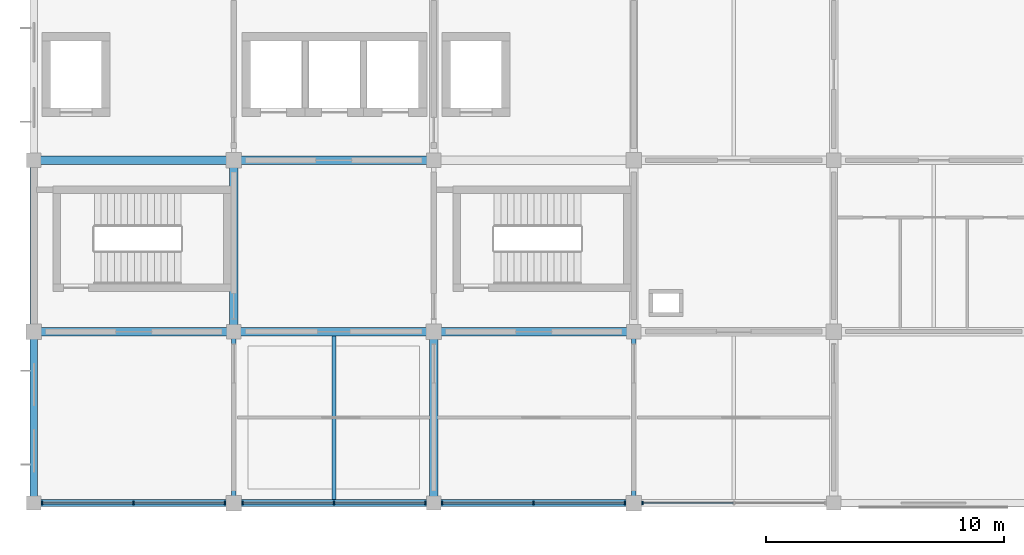
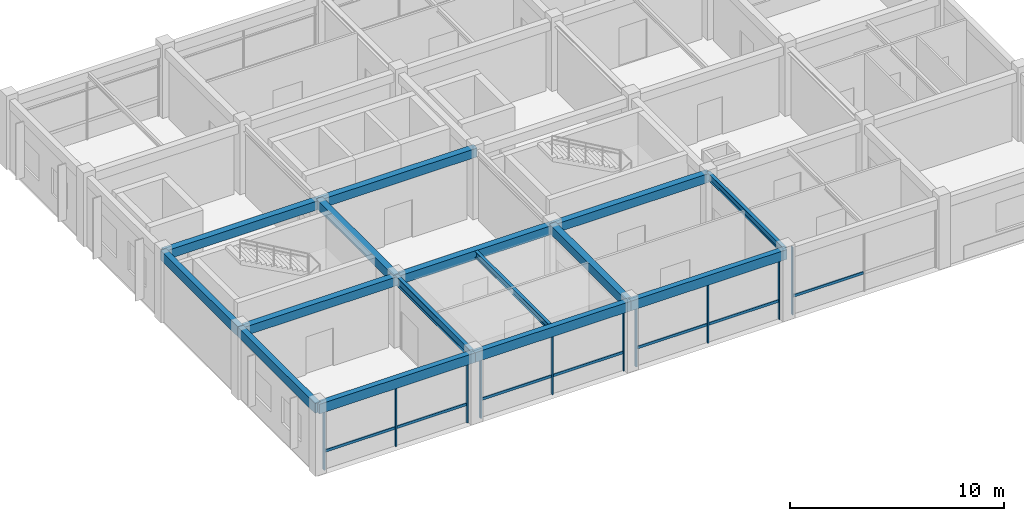
# One storey, part 2 of 13: 17 members, 15 beams, 4 elements without a shape of their own.
"""IFC4 building model written with IfcOpenShell, lengths in metres."""

from ifc_helpers import new_model, si_unit, derived_unit, direction, frame, origin, origin_2d, place, context, subcontext, project, spatial, rectangle, i_section, extrude, material, material_profile, profile_set, type_object, element, aggregate, save


model = new_model("IFC4")

# Units and contexts
model_context = context("Model", 3, precision=1e-05, world=origin(), true_north=direction((0.0, 1.0)))
body_context = subcontext(model_context, "Body", "Model", "MODEL_VIEW")
ifc_project = project(units=[si_unit("LENGTHUNIT", "METRE"), si_unit("AREAUNIT", "SQUARE_METRE"), si_unit("VOLUMEUNIT", "CUBIC_METRE"), si_unit("PLANEANGLEUNIT", "RADIAN"), si_unit("MASSUNIT", "GRAM", prefix="KILO"), derived_unit("THERMALTRANSMITTANCEUNIT", [(si_unit("MASSUNIT", "GRAM", prefix="KILO"), 1), (si_unit("TIMEUNIT", "SECOND"), -3), (si_unit("THERMODYNAMICTEMPERATUREUNIT", "KELVIN"), -1)])], contexts=[model_context])

# Site, building, storey
site_placement = place(None, origin())
site = spatial("IfcSite", under=ifc_project, at=site_placement, CompositionType="ELEMENT")
building_placement = place(site_placement, origin())
building = spatial("IfcBuilding", under=site, at=building_placement, Name="Veldstrom Oceanarium and Marine Research Institute", CompositionType="ELEMENT")
storey_placement = place(building_placement, frame((0.0, 0.0, 56.39990234375)))
storey = spatial("IfcBuildingStorey", under=building, at=storey_placement, Name="L12", CompositionType="ELEMENT", Elevation=56.39990234375)

# Curtain wall, members
ifc_material_1 = material(Name="Anodised Aluminium Framing", Category="aluminium")
curtain_wall_type = type_object("IfcCurtainWallType", Name="ARC-CW-CW04", PredefinedType="USERDEFINED", material=ifc_material_1)
curtain_wall_1_placement = place(storey_placement, origin())
curtain_wall_1 = element("IfcCurtainWall", 1, at=curtain_wall_1_placement, inside=storey, type_object=curtain_wall_type, Name="Curtain Wall CW04 CW-L12-159", ObjectType="Curtain wall", PredefinedType="USERDEFINED")
ifc_material_2 = material(Name="Anodised Aluminium Framing", Category="aluminium")
ifc_material_profile_1 = material_profile(ifc_material_2, rectangle(XDim=0.06494140625, YDim=0.14990234375, at=origin_2d()), Name="ALU-MUL-65x150")
ifc_profile_set_1 = profile_set([ifc_material_profile_1], Name="Anodised Aluminium Framing")
member_type_1 = type_object("IfcMemberType", Name="ARC-MUL-ML2", PredefinedType="MULLION", material=ifc_profile_set_1)
member_1_placement = place(storey_placement, frame((75.93994140625, 43.199951171875, 0.0), z_axis=(0.0, 0.0, 1.0), x_axis=(1.0, 0.0, 0.0)))
member_1 = element("IfcMember", 2, at=member_1_placement, type_object=member_type_1, Name="Curtain Wall Mullion CW-L12-159-MUL-1", PredefinedType="MULLION", context=body_context, shape_type="SweptSolid", body=[
    extrude(rectangle(XDim=0.06494140625, YDim=0.14990234375, at=origin_2d()), origin(), (0.0, 0.0, 1.0), 3.85009765625),
])
member_2_placement = place(storey_placement, frame((79.78759765625, 43.199951171875, 0.0), z_axis=(0.0, 0.0, 1.0), x_axis=(1.0, 0.0, 0.0)))
member_2 = element("IfcMember", 3, at=member_2_placement, type_object=member_type_1, Name="Curtain Wall Mullion CW-L12-159-MUL-2", PredefinedType="MULLION", context=body_context, shape_type="SweptSolid", body=[
    extrude(rectangle(XDim=0.06494140625, YDim=0.14990234375, at=origin_2d()), origin(), (0.0, 0.0, 1.0), 3.85009765625),
])
member_3_placement = place(storey_placement, frame((83.635009765625, 43.199951171875, 0.0), z_axis=(0.0, 0.0, 1.0), x_axis=(1.0, 0.0, 0.0)))
member_3 = element("IfcMember", 4, at=member_3_placement, type_object=member_type_1, Name="Curtain Wall Mullion CW-L12-159-MUL-3", PredefinedType="MULLION", context=body_context, shape_type="SweptSolid", body=[
    extrude(rectangle(XDim=0.06494140625, YDim=0.14990234375, at=origin_2d()), origin(), (0.0, 0.0, 1.0), 3.85009765625),
])

curtain_wall_2_placement = place(storey_placement, origin())
curtain_wall_2 = element("IfcCurtainWall", 5, at=curtain_wall_2_placement, inside=storey, type_object=curtain_wall_type, Name="Curtain Wall CW04 CW-L12-161", ObjectType="Curtain wall", PredefinedType="USERDEFINED")
member_4_placement = place(storey_placement, frame((84.364990234375, 43.199951171875, 0.0), z_axis=(0.0, 0.0, 1.0), x_axis=(1.0, 0.0, 0.0)))
member_4 = element("IfcMember", 6, at=member_4_placement, type_object=member_type_1, Name="Curtain Wall Mullion CW-L12-161-MUL-1", PredefinedType="MULLION", context=body_context, shape_type="SweptSolid", body=[
    extrude(rectangle(XDim=0.06494140625, YDim=0.14990234375, at=origin_2d()), origin(), (0.0, 0.0, 1.0), 3.85009765625),
])
member_5_placement = place(storey_placement, frame((88.21240234375, 43.199951171875, 0.0), z_axis=(0.0, 0.0, 1.0), x_axis=(1.0, 0.0, 0.0)))
member_5 = element("IfcMember", 7, at=member_5_placement, type_object=member_type_1, Name="Curtain Wall Mullion CW-L12-161-MUL-2", PredefinedType="MULLION", context=body_context, shape_type="SweptSolid", body=[
    extrude(rectangle(XDim=0.06494140625, YDim=0.14990234375, at=origin_2d()), origin(), (0.0, 0.0, 1.0), 3.85009765625),
])
member_6_placement = place(storey_placement, frame((92.06005859375, 43.199951171875, 0.0), z_axis=(0.0, 0.0, 1.0), x_axis=(1.0, 0.0, 0.0)))
member_6 = element("IfcMember", 8, at=member_6_placement, type_object=member_type_1, Name="Curtain Wall Mullion CW-L12-161-MUL-3", PredefinedType="MULLION", context=body_context, shape_type="SweptSolid", body=[
    extrude(rectangle(XDim=0.06494140625, YDim=0.14990234375, at=origin_2d()), origin(), (0.0, 0.0, 1.0), 3.85009765625),
])

curtain_wall_3_placement = place(storey_placement, origin())
curtain_wall_3 = element("IfcCurtainWall", 9, at=curtain_wall_3_placement, inside=storey, type_object=curtain_wall_type, Name="Curtain Wall CW04 CW-L12-163", ObjectType="Curtain wall", PredefinedType="USERDEFINED")
member_7_placement = place(storey_placement, frame((92.739990234375, 43.199951171875, 0.0), z_axis=(0.0, 0.0, 1.0), x_axis=(1.0, 0.0, 0.0)))
member_7 = element("IfcMember", 10, at=member_7_placement, type_object=member_type_1, Name="Curtain Wall Mullion CW-L12-163-MUL-1", PredefinedType="MULLION", context=body_context, shape_type="SweptSolid", body=[
    extrude(rectangle(XDim=0.06494140625, YDim=0.14990234375, at=origin_2d()), origin(), (0.0, 0.0, 1.0), 3.85009765625),
])
member_8_placement = place(storey_placement, frame((96.58740234375, 43.199951171875, 0.0), z_axis=(0.0, 0.0, 1.0), x_axis=(1.0, 0.0, 0.0)))
member_8 = element("IfcMember", 11, at=member_8_placement, type_object=member_type_1, Name="Curtain Wall Mullion CW-L12-163-MUL-2", PredefinedType="MULLION", context=body_context, shape_type="SweptSolid", body=[
    extrude(rectangle(XDim=0.06494140625, YDim=0.14990234375, at=origin_2d()), origin(), (0.0, 0.0, 1.0), 3.85009765625),
])
member_9_placement = place(storey_placement, frame((100.43505859375, 43.199951171875, 0.0), z_axis=(0.0, 0.0, 1.0), x_axis=(1.0, 0.0, 0.0)))
member_9 = element("IfcMember", 12, at=member_9_placement, type_object=member_type_1, Name="Curtain Wall Mullion CW-L12-163-MUL-3", PredefinedType="MULLION", context=body_context, shape_type="SweptSolid", body=[
    extrude(rectangle(XDim=0.06494140625, YDim=0.14990234375, at=origin_2d()), origin(), (0.0, 0.0, 1.0), 3.85009765625),
])

# Curtain wall, member
curtain_wall_4_placement = place(storey_placement, origin())
curtain_wall_4 = element("IfcCurtainWall", 13, at=curtain_wall_4_placement, inside=storey, type_object=curtain_wall_type, Name="Curtain Wall CW04 CW-L12-165", ObjectType="Curtain wall", PredefinedType="USERDEFINED")
member_10_placement = place(storey_placement, frame((101.1650390625, 43.199951171875, 0.0), z_axis=(0.0, 0.0, 1.0), x_axis=(1.0, 0.0, 0.0)))
member_10 = element("IfcMember", 14, at=member_10_placement, type_object=member_type_1, Name="Curtain Wall Mullion CW-L12-165-MUL-1", PredefinedType="MULLION", context=body_context, shape_type="SweptSolid", body=[
    extrude(rectangle(XDim=0.06494140625, YDim=0.14990234375, at=origin_2d()), origin(), (0.0, 0.0, 1.0), 3.85009765625),
])

# Member
ifc_material_3 = material(Name="Anodised Aluminium Framing", Category="aluminium")
ifc_material_profile_2 = material_profile(ifc_material_3, rectangle(XDim=0.074951171875, YDim=0.14990234375, at=origin_2d()), Name="ALU-TRN-75x150")
ifc_profile_set_2 = profile_set([ifc_material_profile_2], Name="Anodised Aluminium Framing")
member_type_2 = type_object("IfcMemberType", Name="ARC-TRN-TR1", PredefinedType="USERDEFINED", material=ifc_profile_set_2)
member_11_placement = place(storey_placement, frame((75.97998046875, 43.199951171875, 1.050048828125), z_axis=(1.0, 0.0, 0.0), x_axis=(0.0, 1.0, 0.0)))
member_11 = element("IfcMember", 15, at=member_11_placement, type_object=member_type_2, Name="Curtain Wall Transom CW-L12-159-TRN-1", ObjectType="Transom", PredefinedType="USERDEFINED", context=body_context, shape_type="SweptSolid", body=[
    extrude(rectangle(XDim=0.074951171875, YDim=0.14990234375, at=origin_2d()), origin(), (0.0, 0.0, 1.0), 3.767578125),
])

member_12_placement = place(storey_placement, frame((79.827392578125, 43.199951171875, 1.050048828125), z_axis=(1.0, 0.0, 0.0), x_axis=(0.0, 1.0, 0.0)))
member_12 = element("IfcMember", 16, at=member_12_placement, type_object=member_type_2, Name="Curtain Wall Transom CW-L12-159-TRN-2", ObjectType="Transom", PredefinedType="USERDEFINED", context=body_context, shape_type="SweptSolid", body=[
    extrude(rectangle(XDim=0.074951171875, YDim=0.14990234375, at=origin_2d()), origin(), (0.0, 0.0, 1.0), 3.767578125),
])

aggregate(curtain_wall_1, [member_1, member_2, member_3, member_11, member_12])

member_13_placement = place(storey_placement, frame((84.405029296875, 43.199951171875, 1.050048828125), z_axis=(1.0, 0.0, 0.0), x_axis=(0.0, 1.0, 0.0)))
member_13 = element("IfcMember", 17, at=member_13_placement, type_object=member_type_2, Name="Curtain Wall Transom CW-L12-161-TRN-1", ObjectType="Transom", PredefinedType="USERDEFINED", context=body_context, shape_type="SweptSolid", body=[
    extrude(rectangle(XDim=0.074951171875, YDim=0.14990234375, at=origin_2d()), origin(), (0.0, 0.0, 1.0), 3.767578125),
])

member_14_placement = place(storey_placement, frame((88.25244140625, 43.199951171875, 1.050048828125), z_axis=(1.0, 0.0, 0.0), x_axis=(0.0, 1.0, 0.0)))
member_14 = element("IfcMember", 18, at=member_14_placement, type_object=member_type_2, Name="Curtain Wall Transom CW-L12-161-TRN-2", ObjectType="Transom", PredefinedType="USERDEFINED", context=body_context, shape_type="SweptSolid", body=[
    extrude(rectangle(XDim=0.074951171875, YDim=0.14990234375, at=origin_2d()), origin(), (0.0, 0.0, 1.0), 3.767578125),
])

aggregate(curtain_wall_2, [member_4, member_5, member_6, member_13, member_14])

member_15_placement = place(storey_placement, frame((92.780029296875, 43.199951171875, 1.050048828125), z_axis=(1.0, 0.0, 0.0), x_axis=(0.0, 1.0, 0.0)))
member_15 = element("IfcMember", 19, at=member_15_placement, type_object=member_type_2, Name="Curtain Wall Transom CW-L12-163-TRN-1", ObjectType="Transom", PredefinedType="USERDEFINED", context=body_context, shape_type="SweptSolid", body=[
    extrude(rectangle(XDim=0.074951171875, YDim=0.14990234375, at=origin_2d()), origin(), (0.0, 0.0, 1.0), 3.767578125),
])

member_16_placement = place(storey_placement, frame((96.62744140625, 43.199951171875, 1.050048828125), z_axis=(1.0, 0.0, 0.0), x_axis=(0.0, 1.0, 0.0)))
member_16 = element("IfcMember", 20, at=member_16_placement, type_object=member_type_2, Name="Curtain Wall Transom CW-L12-163-TRN-2", ObjectType="Transom", PredefinedType="USERDEFINED", context=body_context, shape_type="SweptSolid", body=[
    extrude(rectangle(XDim=0.074951171875, YDim=0.14990234375, at=origin_2d()), origin(), (0.0, 0.0, 1.0), 3.767578125),
])

aggregate(curtain_wall_3, [member_7, member_8, member_9, member_15, member_16])

member_17_placement = place(storey_placement, frame((101.205078125, 43.199951171875, 1.050048828125), z_axis=(1.0, 0.0, 0.0), x_axis=(0.0, 1.0, 0.0)))
member_17 = element("IfcMember", 21, at=member_17_placement, type_object=member_type_2, Name="Curtain Wall Transom CW-L12-165-TRN-1", ObjectType="Transom", PredefinedType="USERDEFINED", context=body_context, shape_type="SweptSolid", body=[
    extrude(rectangle(XDim=0.074951171875, YDim=0.14990234375, at=origin_2d()), origin(), (0.0, 0.0, 1.0), 3.767333984375),
])

aggregate(curtain_wall_4, [member_10, member_17])

# Beams
ifc_material_4 = material(Name="Concrete C40/50", Category="concrete")
ifc_material_profile_3 = material_profile(ifc_material_4, rectangle(XDim=0.35009765625, YDim=0.5, at=origin_2d()), Name="RC-BM-350x500")
ifc_profile_set_3 = profile_set([ifc_material_profile_3], Name="Concrete C40/50")
beam_type_1 = type_object("IfcBeamType", Name="STR-BM-B08", PredefinedType="BEAM", material=ifc_profile_set_3)
for number, where, z_axis, x_axis, name in (
    (22, (75.60009765625, 50.39990234375, 3.6650390625), (1.0, 0.0, 0.0), (0.0, 1.0, 0.0), "Primary Beam B08 L12-2669"),
    (23, (75.60009765625, 57.60009765625, 3.6650390625), (1.0, 0.0, 0.0), (0.0, 1.0, 0.0), "Primary Beam B08 L12-2670"),
    (24, (84.0, 50.39990234375, 3.6650390625), (1.0, 0.0, 0.0), (0.0, 1.0, 0.0), "Primary Beam B08 L12-2674"),
    (25, (84.0, 57.60009765625, 3.6650390625), (1.0, 0.0, 0.0), (0.0, 1.0, 0.0), "Primary Beam B08 L12-2675"),
):
    element("IfcBeam", number, at=place(storey_placement, frame(where, z_axis=z_axis, x_axis=x_axis)), inside=storey, type_object=beam_type_1, Name=name, PredefinedType="BEAM", context=body_context, shape_type="SweptSolid", body=[
        extrude(rectangle(XDim=0.35009765625, YDim=0.5, at=origin_2d()), origin(), (0.0, 0.0, 1.0), 8.39990234375),
    ])
beam_1_placement = place(storey_placement, frame((92.39990234375, 50.39990234375, 3.6650390625), z_axis=(1.0, 0.0, 0.0), x_axis=(0.0, 1.0, 0.0)))
element("IfcBeam", 26, at=beam_1_placement, inside=storey, type_object=beam_type_1, Name="Primary Beam B08 L12-2679", PredefinedType="BEAM", context=body_context, shape_type="SweptSolid", body=[
    extrude(rectangle(XDim=0.35009765625, YDim=0.5, at=origin_2d()), origin(), (0.0, 0.0, 1.0), 8.400146484375),
])
beam_2_placement = place(storey_placement, frame((84.0, 50.39990234375, 3.6650390625), z_axis=(0.0, 1.0, 0.0), x_axis=(-1.0, 0.0, 0.0)))
element("IfcBeam", 27, at=beam_2_placement, inside=storey, type_object=beam_type_1, Name="Primary Beam B08 L12-2697", PredefinedType="BEAM", context=body_context, shape_type="SweptSolid", body=[
    extrude(rectangle(XDim=0.35009765625, YDim=0.5, at=origin_2d()), origin(), (0.0, 0.0, 1.0), 7.2001953125),
])
beam_3_placement = place(storey_placement, frame((92.39990234375, 43.199951171875, 3.6650390625), z_axis=(0.0, 1.0, 0.0), x_axis=(-1.0, 0.0, 0.0)))
element("IfcBeam", 28, at=beam_3_placement, inside=storey, type_object=beam_type_1, Name="Primary Beam B08 L12-2700", PredefinedType="BEAM", context=body_context, shape_type="SweptSolid", body=[
    extrude(rectangle(XDim=0.35009765625, YDim=0.5, at=origin_2d()), origin(), (0.0, 0.0, 1.0), 7.199951171875),
])
ifc_material_5 = material(Name="Steel S355JR", Category="steel")
ifc_material_profile_4 = material_profile(ifc_material_5, i_section(OverallWidth=0.199951171875, OverallDepth=0.5, WebThickness=0.01025390625, FlangeThickness=0.01611328125, FilletRadius=0.02099609375, at=origin_2d()), Name="IPE 500")
ifc_profile_set_4 = profile_set([ifc_material_profile_4], Name="Steel S355JR")
beam_type_2 = type_object("IfcBeamType", Name="STR-BM-SB6", PredefinedType="BEAM", material=ifc_profile_set_4)
beam_4_placement = place(storey_placement, frame((84.0, 43.199951171875, 3.6650390625), z_axis=(0.0, 1.0, 0.0), x_axis=(-1.0, 0.0, 0.0)))
element("IfcBeam", 29, at=beam_4_placement, inside=storey, type_object=beam_type_2, Name="Steel Tie Beam SB6 L12-2696", PredefinedType="BEAM", context=body_context, shape_type="SweptSolid", body=[
    extrude(i_section(OverallWidth=0.199951171875, OverallDepth=0.5, WebThickness=0.01025390625, FlangeThickness=0.01611328125, FilletRadius=0.02099609375, at=origin_2d()), origin(), (0.0, 0.0, 1.0), 7.199951171875),
])
ifc_material_6 = material(Name="Steel S355JR", Category="steel")
ifc_material_profile_5 = material_profile(ifc_material_6, i_section(OverallWidth=0.179931640625, OverallDepth=0.39990234375, WebThickness=0.008544921875, FlangeThickness=0.013427734375, FilletRadius=0.02099609375, at=origin_2d()), Name="IPE 400")
ifc_profile_set_5 = profile_set([ifc_material_profile_5], Name="Steel S355JR")
beam_type_3 = type_object("IfcBeamType", Name="STR-BM-SB8", PredefinedType="BEAM", material=ifc_profile_set_5)
beam_5_placement = place(storey_placement, frame((100.800048828125, 43.199951171875, 3.715087890625), z_axis=(0.0, 1.0, 0.0), x_axis=(-1.0, 0.0, 0.0)))
element("IfcBeam", 30, at=beam_5_placement, inside=storey, type_object=beam_type_3, Name="Steel Tie Beam SB8 L12-2704", PredefinedType="BEAM", context=body_context, shape_type="SweptSolid", body=[
    extrude(i_section(OverallWidth=0.179931640625, OverallDepth=0.39990234375, WebThickness=0.008544921875, FlangeThickness=0.013427734375, FilletRadius=0.02099609375, at=origin_2d()), origin(), (0.0, 0.0, 1.0), 7.199951171875),
])
ifc_material_7 = material(Name="Steel S355JR", Category="steel")
ifc_material_profile_6 = material_profile(ifc_material_7, i_section(OverallWidth=0.169921875, OverallDepth=0.360107421875, WebThickness=0.008056640625, FlangeThickness=0.0126953125, FilletRadius=0.01806640625, at=origin_2d()), Name="IPE 360")
ifc_profile_set_6 = profile_set([ifc_material_profile_6], Name="Steel S355JR")
beam_type_4 = type_object("IfcBeamType", Name="STR-JST-SJ1", PredefinedType="JOIST", material=ifc_profile_set_6)
beam_6_placement = place(storey_placement, frame((88.199951171875, 43.35009765625, 3.735107421875), z_axis=(0.0, 1.0, 0.0), x_axis=(-1.0, 0.0, 0.0)))
element("IfcBeam", 31, at=beam_6_placement, inside=storey, type_object=beam_type_4, Name="Secondary Joist SJ1 L12-2716", PredefinedType="JOIST", context=body_context, shape_type="SweptSolid", body=[
    extrude(i_section(OverallWidth=0.169921875, OverallDepth=0.360107421875, WebThickness=0.008056640625, FlangeThickness=0.0126953125, FilletRadius=0.01806640625, at=origin_2d()), origin(), (0.0, 0.0, 1.0), 6.875),
])
ifc_material_8 = material(Name="Concrete C40/50", Category="concrete")
ifc_material_profile_7 = material_profile(ifc_material_8, rectangle(XDim=0.300048828125, YDim=0.550048828125, at=origin_2d()), Name="RC-SPN-300x550")
ifc_profile_set_7 = profile_set([ifc_material_profile_7], Name="Concrete C40/50")
beam_type_5 = type_object("IfcBeamType", Name="STR-SPN-SP2", PredefinedType="SPANDREL", material=ifc_profile_set_7)
for number, where, z_axis, x_axis, name in (
    (32, (75.60009765625, 43.199951171875, 3.64013671875), (1.0, 0.0, 0.0), (0.0, 1.0, 0.0), "Perimeter Spandrel SPB2 L12-2668"),
    (33, (84.0, 43.199951171875, 3.64013671875), (1.0, 0.0, 0.0), (0.0, 1.0, 0.0), "Perimeter Spandrel SPB2 L12-2673"),
):
    element("IfcBeam", number, at=place(storey_placement, frame(where, z_axis=z_axis, x_axis=x_axis)), inside=storey, type_object=beam_type_5, Name=name, PredefinedType="SPANDREL", context=body_context, shape_type="SweptSolid", body=[
        extrude(rectangle(XDim=0.300048828125, YDim=0.550048828125, at=origin_2d()), origin(), (0.0, 0.0, 1.0), 8.39990234375),
    ])
beam_7_placement = place(storey_placement, frame((92.39990234375, 43.199951171875, 3.64013671875), z_axis=(1.0, 0.0, 0.0), x_axis=(0.0, 1.0, 0.0)))
element("IfcBeam", 34, at=beam_7_placement, inside=storey, type_object=beam_type_5, Name="Perimeter Spandrel SPB2 L12-2678", PredefinedType="SPANDREL", context=body_context, shape_type="SweptSolid", body=[
    extrude(rectangle(XDim=0.300048828125, YDim=0.550048828125, at=origin_2d()), origin(), (0.0, 0.0, 1.0), 8.400146484375),
])
beam_8_placement = place(storey_placement, frame((75.60009765625, 43.199951171875, 3.64013671875), z_axis=(0.0, 1.0, 0.0), x_axis=(-1.0, 0.0, 0.0)))
element("IfcBeam", 35, at=beam_8_placement, inside=storey, type_object=beam_type_5, Name="Perimeter Spandrel SPB2 L12-2692", PredefinedType="SPANDREL", context=body_context, shape_type="SweptSolid", body=[
    extrude(rectangle(XDim=0.300048828125, YDim=0.550048828125, at=origin_2d()), origin(), (0.0, 0.0, 1.0), 7.199951171875),
])
beam_9_placement = place(storey_placement, frame((75.60009765625, 50.39990234375, 3.64013671875), z_axis=(0.0, 1.0, 0.0), x_axis=(-1.0, 0.0, 0.0)))
element("IfcBeam", 36, at=beam_9_placement, inside=storey, type_object=beam_type_5, Name="Perimeter Spandrel SPB2 L12-2693", PredefinedType="SPANDREL", context=body_context, shape_type="SweptSolid", body=[
    extrude(rectangle(XDim=0.300048828125, YDim=0.550048828125, at=origin_2d()), origin(), (0.0, 0.0, 1.0), 7.2001953125),
])

save(model, "model.ifc")
